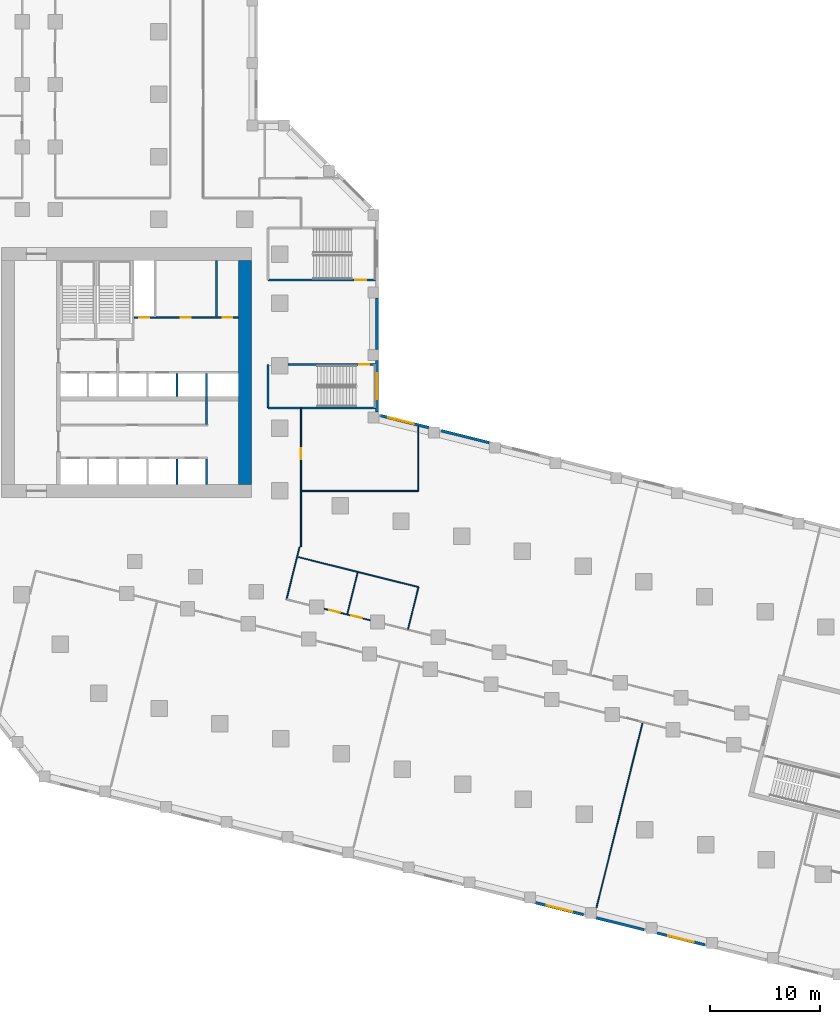
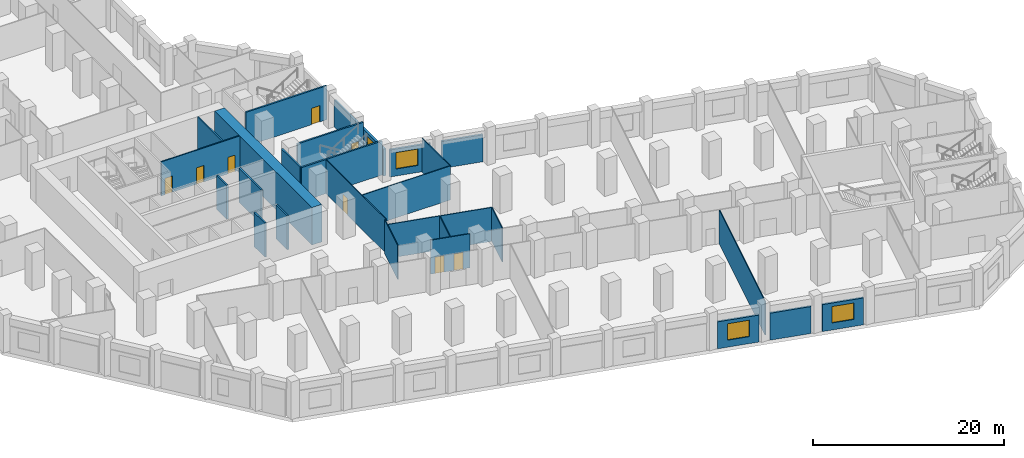
# One storey, part 5 of 15: 28 walls, 8 doors, 4 windows, 12 openings.
"""IFC4 building model written with IfcOpenShell, lengths in metres."""

from ifc_helpers import new_model, si_unit, direction, frame, frame_2d, origin, place, context, subcontext, project, spatial, rectangle, extrude, material, layer, layer_set, type_object, element, fill, save


model = new_model("IFC4")

# Units and contexts
model_context = context("Model", 3, precision=1e-05, world=origin(), true_north=direction((0.0, 1.0)))
body_context = subcontext(model_context, "Body", "Model", "MODEL_VIEW")
ifc_project = project(units=[si_unit("LENGTHUNIT", "METRE"), si_unit("AREAUNIT", "SQUARE_METRE"), si_unit("VOLUMEUNIT", "CUBIC_METRE"), si_unit("PLANEANGLEUNIT", "RADIAN"), si_unit("MASSUNIT", "GRAM", prefix="KILO")], contexts=[model_context])

# Site, building, storey
site_placement = place(None, origin())
site = spatial("IfcSite", under=ifc_project, at=site_placement, CompositionType="ELEMENT")
building_placement = place(site_placement, origin())
building = spatial("IfcBuilding", under=site, at=building_placement, Name="Meshkara Civic Tower", CompositionType="ELEMENT")
storey_placement = place(building_placement, frame((0.0, 0.0, 23.39990234375)))
storey = spatial("IfcBuildingStorey", under=building, at=storey_placement, Name="L04", CompositionType="ELEMENT", Elevation=23.39990234375)

# Wall, openings, doors
ifc_material_1 = material(Name="Blockwork", Category="masonry")
ifc_layer_1 = layer(ifc_material_1, 0.14990234375)
ifc_layer_set_1 = layer_set([ifc_layer_1], Name="Core partition 150")
wall_type_1 = type_object("IfcWallType", Name="Core partition 150", PredefinedType="PARTITIONING", material=ifc_layer_set_1)
wall_1_placement = place(storey_placement, frame((20.10009765625, 30.5, 0.0), z_axis=(0.0, 0.0, 1.0), x_axis=(1.0, 0.0, 0.0)))
wall_1 = element("IfcWall", 1, at=wall_1_placement, inside=storey, type_object=wall_type_1, Name="L04-C010", PredefinedType="PARTITIONING", context=body_context, shape_type="SweptSolid", body=[
    extrude(rectangle(XDim=9.5, YDim=0.14990234375, at=frame_2d((4.75, 0.0))), origin(), (0.0, 0.0, 1.0), 4.35009765625),
])
opening_1_placement = place(wall_1_placement, frame((0.449951171875, 0.0, 0.0)))
opening_1 = element("IfcOpeningElement", 2, at=opening_1_placement, cuts=wall_1, Name="Opening L04-K011", PredefinedType="OPENING", context=body_context, shape_type="SweptSolid", body=[
    extrude(rectangle(XDim=0.89990234375, YDim=2.10009765625, at=frame_2d((0.449951171875, 1.050048828125))), frame((0.0, 0.0849609375, 0.0), z_axis=(0.0, -1.0, 0.0), x_axis=(1.0, 0.0, 0.0)), (0.0, 0.0, 1.0), 0.169921875),
])
opening_2_placement = place(wall_1_placement, frame((4.25, 0.0, 0.0)))
opening_2 = element("IfcOpeningElement", 3, at=opening_2_placement, cuts=wall_1, Name="Opening L04-K012", PredefinedType="OPENING", context=body_context, shape_type="SweptSolid", body=[
    extrude(rectangle(XDim=0.89990234375, YDim=2.10009765625, at=frame_2d((0.449951171875, 1.050048828125))), frame((0.0, 0.0849609375, 0.0), z_axis=(0.0, -1.0, 0.0), x_axis=(1.0, 0.0, 0.0)), (0.0, 0.0, 1.0), 0.169921875),
])
opening_3_placement = place(wall_1_placement, frame((8.050048828125, 0.0, 0.0)))
opening_3 = element("IfcOpeningElement", 4, at=opening_3_placement, cuts=wall_1, Name="Opening L04-K013", PredefinedType="OPENING", context=body_context, shape_type="SweptSolid", body=[
    extrude(rectangle(XDim=0.89990234375, YDim=2.10009765625, at=frame_2d((0.449951171875, 1.050048828125))), frame((0.0, 0.0849609375, 0.0), z_axis=(0.0, -1.0, 0.0), x_axis=(1.0, 0.0, 0.0)), (0.0, 0.0, 1.0), 0.169921875),
])
ifc_material_2 = material(Name="Timber door leaf in steel frame", Category="steel")
door_type_1 = type_object("IfcDoorType", Name="Core room door 900", OperationType="SINGLE_SWING_LEFT", PredefinedType="DOOR", material=ifc_material_2)
door_1_placement = place(opening_2_placement, origin())
door_1 = element("IfcDoor", 5, at=door_1_placement, inside=storey, type_object=door_type_1, Name="L04-K012", OperationType="SINGLE_SWING_RIGHT", OverallHeight=2.10009765625, OverallWidth=0.89990234375, PredefinedType="DOOR", context=body_context, shape_type="SweptSolid", body=[
    extrude(rectangle(XDim=0.89990234375, YDim=2.10009765625, at=frame_2d((0.449951171875, 1.050048828125))), frame((0.0, 0.02490234375, 0.0), z_axis=(0.0, -1.0, 0.0), x_axis=(1.0, 0.0, 0.0)), (0.0, 0.0, 1.0), 0.050048828125),
])
fill(opening_2, door_1)
door_2_placement = place(opening_3_placement, origin())
door_2 = element("IfcDoor", 6, at=door_2_placement, inside=storey, type_object=door_type_1, Name="L04-K013", OperationType="SINGLE_SWING_RIGHT", OverallHeight=2.10009765625, OverallWidth=0.89990234375, PredefinedType="DOOR", context=body_context, shape_type="SweptSolid", body=[
    extrude(rectangle(XDim=0.89990234375, YDim=2.10009765625, at=frame_2d((0.449951171875, 1.050048828125))), frame((0.0, 0.02490234375, 0.0), z_axis=(0.0, -1.0, 0.0), x_axis=(1.0, 0.0, 0.0)), (0.0, 0.0, 1.0), 0.050048828125),
])
fill(opening_3, door_2)
ifc_material_3 = material(Name="Fire-rated door leaf in steel frame", Category="steel")
door_type_2 = type_object("IfcDoorType", Name="Riser door 900", OperationType="SINGLE_SWING_LEFT", PredefinedType="DOOR", material=ifc_material_3)
door_3_placement = place(opening_1_placement, origin())
door_3 = element("IfcDoor", 7, at=door_3_placement, inside=storey, type_object=door_type_2, Name="L04-K011", OperationType="SINGLE_SWING_RIGHT", OverallHeight=2.10009765625, OverallWidth=0.89990234375, PredefinedType="DOOR", context=body_context, shape_type="SweptSolid", body=[
    extrude(rectangle(XDim=0.89990234375, YDim=2.10009765625, at=frame_2d((0.449951171875, 1.050048828125))), frame((0.0, 0.02490234375, 0.0), z_axis=(0.0, -1.0, 0.0), x_axis=(1.0, 0.0, 0.0)), (0.0, 0.0, 1.0), 0.050048828125),
])
fill(opening_1, door_3)

# Walls
wall_2_placement = place(storey_placement, frame((27.60009765625, 30.574951171875, 0.0), z_axis=(0.0, 0.0, 1.0), x_axis=(0.0, 1.0, 0.0)))
element("IfcWall", 8, at=wall_2_placement, inside=storey, type_object=wall_type_1, Name="L04-C025", PredefinedType="PARTITIONING", context=body_context, shape_type="SweptSolid", body=[
    extrude(rectangle(XDim=5.125, YDim=0.14990234375, at=frame_2d((2.5625, 0.0))), origin(), (0.0, 0.0, 1.0), 4.35009765625),
])
ifc_material_4 = material(Name="Concrete C80", Category="concrete")
ifc_layer_2 = layer(ifc_material_4, 1.199951171875)
ifc_layer_set_2 = layer_set([ifc_layer_2], Name="Core ring wall 1200 C80")
wall_type_2 = type_object("IfcWallType", Name="Core ring wall 1200 C80", PredefinedType="SHEAR", material=ifc_layer_set_2)
wall_3_placement = place(storey_placement, frame((30.199951171875, 15.300048828125, -0.449951171875), z_axis=(0.0, 0.0, 1.0), x_axis=(0.0, 1.0, 0.0)))
element("IfcWall", 9, at=wall_3_placement, inside=storey, type_object=wall_type_2, Name="L04-C004", PredefinedType="SHEAR", context=body_context, shape_type="SweptSolid", body=[
    extrude(rectangle(XDim=20.39990234375, YDim=1.199951171875, at=frame_2d((10.199951171875, 0.0))), origin(), (0.0, 0.0, 1.0), 4.800048828125),
])
ifc_material_5 = material(Name="Corridor wall 100")
ifc_layer_3 = layer(ifc_material_5, 0.10009765625)
ifc_layer_set_3 = layer_set([ifc_layer_3], Name="Corridor wall 100")
wall_type_3 = type_object("IfcWallType", Name="Corridor wall 100", PredefinedType="PARTITIONING", material=ifc_layer_set_3)
wall_4_placement = place(storey_placement, frame((33.97607421875, 4.823974609375, 0.0), z_axis=(0.0, 0.0, 1.0), x_axis=(0.241940400058, 0.970291112409, 0.0)))
element("IfcWall", 10, at=wall_4_placement, inside=storey, type_object=wall_type_3, Name="L04-R049", PredefinedType="PARTITIONING", context=body_context, shape_type="SweptSolid", body=[
    extrude(rectangle(XDim=4.92236328125, YDim=0.10009765625, at=frame_2d((2.461181640625, 0.0))), origin(), (0.0, 0.0, 1.0), 4.35009765625),
])

# Wall, opening, door
wall_5_placement = place(storey_placement, frame((35.300048828125, 9.60009765625, 0.0), z_axis=(0.0, 0.0, 1.0), x_axis=(0.0, 1.0, 0.0)))
wall_5 = element("IfcWall", 11, at=wall_5_placement, inside=storey, type_object=wall_type_3, Name="L04-R051", PredefinedType="PARTITIONING", context=body_context, shape_type="SweptSolid", body=[
    extrude(rectangle(XDim=12.6748046875, YDim=0.10009765625, at=frame_2d((6.33740234375, 0.0))), origin(), (0.0, 0.0, 1.0), 4.35009765625),
])
opening_4_placement = place(wall_5_placement, frame((7.97998046875, 0.0, 0.0)))
opening_4 = element("IfcOpeningElement", 12, at=opening_4_placement, cuts=wall_5, Name="Opening L04-P020", PredefinedType="OPENING", context=body_context, shape_type="SweptSolid", body=[
    extrude(rectangle(XDim=1.0, YDim=2.10009765625, at=frame_2d((0.5, 1.050048828125))), frame((0.0, 0.06005859375, 0.0), z_axis=(0.0, -1.0, 0.0), x_axis=(1.0, 0.0, 0.0)), (0.0, 0.0, 1.0), 0.1201171875),
])
ifc_material_6 = material(Name="Door 1000 x 2100")
door_type_3 = type_object("IfcDoorType", Name="Door 1000 x 2100", OperationType="SINGLE_SWING_LEFT", PredefinedType="DOOR", material=ifc_material_6)
door_4_placement = place(opening_4_placement, origin())
door_4 = element("IfcDoor", 13, at=door_4_placement, inside=storey, type_object=door_type_3, Name="L04-P020", OperationType="SINGLE_SWING_LEFT", OverallHeight=2.10009765625, OverallWidth=1.0, PredefinedType="DOOR", context=body_context, shape_type="SweptSolid", body=[
    extrude(rectangle(XDim=1.0, YDim=2.10009765625, at=frame_2d((0.5, 1.050048828125))), frame((0.0, 0.02490234375, 0.0), z_axis=(0.0, -1.0, 0.0), x_axis=(1.0, 0.0, 0.0)), (0.0, 0.0, 1.0), 0.050048828125),
])
fill(opening_4, door_4)

# Wall, openings, doors
wall_6_placement = place(storey_placement, frame((37.412109375, 3.967041015625, 0.0), z_axis=(0.0, 0.0, 1.0), x_axis=(0.970335093604, -0.241763947107, 0.0)))
wall_6 = element("IfcWall", 14, at=wall_6_placement, inside=storey, type_object=wall_type_3, Name="L04-R056", PredefinedType="PARTITIONING", context=body_context, shape_type="SweptSolid", body=[
    extrude(rectangle(XDim=4.318115234375, YDim=0.10009765625, at=frame_2d((2.1591796875, 0.0))), origin(), (0.0, 0.0, 1.0), 4.35009765625),
])
opening_5_placement = place(wall_6_placement, frame((0.47998046875, 0.0, 0.0)))
opening_5 = element("IfcOpeningElement", 15, at=opening_5_placement, cuts=wall_6, Name="Opening L04-P014", PredefinedType="OPENING", context=body_context, shape_type="SweptSolid", body=[
    extrude(rectangle(XDim=1.0, YDim=2.10009765625, at=frame_2d((0.5, 1.050048828125))), frame((0.0, 0.06005859375, 0.0), z_axis=(0.0, -1.0, 0.0), x_axis=(1.0, 0.0, 0.0)), (0.0, 0.0, 1.0), 0.1201171875),
])
opening_6_placement = place(wall_6_placement, frame((2.5390625, 0.0, 0.0)))
opening_6 = element("IfcOpeningElement", 16, at=opening_6_placement, cuts=wall_6, Name="Opening L04-P016", PredefinedType="OPENING", context=body_context, shape_type="SweptSolid", body=[
    extrude(rectangle(XDim=1.0, YDim=2.10009765625, at=frame_2d((0.5, 1.050048828125))), frame((0.0, 0.06005859375, 0.0), z_axis=(0.0, -1.0, 0.0), x_axis=(1.0, 0.0, 0.0)), (0.0, 0.0, 1.0), 0.1201171875),
])
door_5_placement = place(opening_5_placement, origin())
door_5 = element("IfcDoor", 17, at=door_5_placement, inside=storey, type_object=door_type_3, Name="L04-P014", OperationType="SINGLE_SWING_RIGHT", OverallHeight=2.10009765625, OverallWidth=1.0, PredefinedType="DOOR", context=body_context, shape_type="SweptSolid", body=[
    extrude(rectangle(XDim=1.0, YDim=2.10009765625, at=frame_2d((0.5, 1.050048828125))), frame((0.0, 0.02490234375, 0.0), z_axis=(0.0, -1.0, 0.0), x_axis=(1.0, 0.0, 0.0)), (0.0, 0.0, 1.0), 0.050048828125),
])
fill(opening_5, door_5)
door_6_placement = place(opening_6_placement, origin())
door_6 = element("IfcDoor", 18, at=door_6_placement, inside=storey, type_object=door_type_3, Name="L04-P016", OperationType="SINGLE_SWING_LEFT", OverallHeight=2.10009765625, OverallWidth=1.0, PredefinedType="DOOR", context=body_context, shape_type="SweptSolid", body=[
    extrude(rectangle(XDim=1.0, YDim=2.10009765625, at=frame_2d((0.5, 1.050048828125))), frame((0.0, 0.02490234375, 0.0), z_axis=(0.0, -1.0, 0.0), x_axis=(1.0, 0.0, 0.0)), (0.0, 0.0, 1.0), 0.050048828125),
])
fill(opening_6, door_6)

# Wall, opening, window
ifc_material_7 = material(Name="Stone cladding on insulated backing wall", Category="masonry")
ifc_layer_4 = layer(ifc_material_7, 0.25)
ifc_layer_set_4 = layer_set([ifc_layer_4], Name="PODIUM STONE WALL 250")
wall_type_4 = type_object("IfcWallType", Name="PODIUM STONE WALL 250", PredefinedType="SOLIDWALL", material=ifc_layer_set_4)
wall_7_placement = place(storey_placement, frame((56.680908203125, -22.81494140625, 0.0), z_axis=(0.0, 0.0, 1.0), x_axis=(0.970276766004, -0.241997928406, 0.0)))
wall_7 = element("IfcWall", 19, at=wall_7_placement, inside=storey, type_object=wall_type_4, Name="Podium external wall", PredefinedType="SOLIDWALL", context=body_context, shape_type="SweptSolid", body=[
    extrude(rectangle(XDim=4.4873046875, YDim=0.25, at=frame_2d((2.24365234375, 0.0))), origin(), (0.0, 0.0, 1.0), 3.4501953125),
])
opening_7_placement = place(wall_7_placement, frame((1.0439453125, 0.0, 0.89990234375)))
opening_7 = element("IfcOpeningElement", 20, at=opening_7_placement, cuts=wall_7, Name="Opening PW10", PredefinedType="OPENING", context=body_context, shape_type="SweptSolid", body=[
    extrude(rectangle(XDim=2.39990234375, YDim=2.10009765625, at=frame_2d((1.199951171875, 1.050048828125))), frame((0.0, 0.135009765625, 0.0), z_axis=(0.0, -1.0, 0.0), x_axis=(1.0, 0.0, 0.0)), (0.0, 0.0, 1.0), 0.27001953125),
])
ifc_material_8 = material(Name="Tinted double glazing", Category="glass")
window_type = type_object("IfcWindowType", Name="PODIUM WINDOW 2400x2100", PartitioningType="DOUBLE_PANEL_VERTICAL", PredefinedType="WINDOW", material=ifc_material_8)
window_1_placement = place(opening_7_placement, origin())
window_1 = element("IfcWindow", 21, at=window_1_placement, inside=storey, type_object=window_type, Name="Podium window", OverallHeight=2.10009765625, OverallWidth=2.39990234375, PartitioningType="DOUBLE_PANEL_VERTICAL", PredefinedType="WINDOW", context=body_context, shape_type="SweptSolid", body=[
    extrude(rectangle(XDim=2.39990234375, YDim=2.10009765625, at=frame_2d((1.199951171875, 1.050048828125))), frame((0.0, 0.030029296875, 0.0), z_axis=(0.0, -1.0, 0.0), x_axis=(1.0, 0.0, 0.0)), (0.0, 0.0, 1.0), 0.06005859375),
])
fill(opening_7, window_1)

# Wall
wall_8_placement = place(storey_placement, frame((62.2109375, -24.194091796875, 0.0), z_axis=(0.0, 0.0, 1.0), x_axis=(0.970289506684, -0.241946839653, 0.0)))
element("IfcWall", 22, at=wall_8_placement, inside=storey, type_object=wall_type_4, Name="Podium external wall", PredefinedType="SOLIDWALL", context=body_context, shape_type="SweptSolid", body=[
    extrude(rectangle(XDim=4.48828125, YDim=0.25, at=frame_2d((2.244140625, 0.0))), origin(), (0.0, 0.0, 1.0), 3.4501953125),
])

# Wall, opening, window
wall_9_placement = place(storey_placement, frame((67.741943359375, -25.572998046875, 0.0), z_axis=(0.0, 0.0, 1.0), x_axis=(0.970289506684, -0.241946839653, 0.0)))
wall_9 = element("IfcWall", 23, at=wall_9_placement, inside=storey, type_object=wall_type_4, Name="Podium external wall", PredefinedType="SOLIDWALL", context=body_context, shape_type="SweptSolid", body=[
    extrude(rectangle(XDim=4.48828125, YDim=0.25, at=frame_2d((2.244140625, 0.0))), origin(), (0.0, 0.0, 1.0), 3.4501953125),
])
opening_8_placement = place(wall_9_placement, frame((1.0439453125, 0.0, 0.89990234375)))
opening_8 = element("IfcOpeningElement", 24, at=opening_8_placement, cuts=wall_9, Name="Opening PW10", PredefinedType="OPENING", context=body_context, shape_type="SweptSolid", body=[
    extrude(rectangle(XDim=2.39990234375, YDim=2.10009765625, at=frame_2d((1.199951171875, 1.050048828125))), frame((0.0, 0.135009765625, 0.0), z_axis=(0.0, -1.0, 0.0), x_axis=(1.0, 0.0, 0.0)), (0.0, 0.0, 1.0), 0.27001953125),
])
window_2_placement = place(opening_8_placement, origin())
window_2 = element("IfcWindow", 25, at=window_2_placement, inside=storey, type_object=window_type, Name="Podium window", OverallHeight=2.10009765625, OverallWidth=2.39990234375, PartitioningType="DOUBLE_PANEL_VERTICAL", PredefinedType="WINDOW", context=body_context, shape_type="SweptSolid", body=[
    extrude(rectangle(XDim=2.39990234375, YDim=2.10009765625, at=frame_2d((1.199951171875, 1.050048828125))), frame((0.0, 0.030029296875, 0.0), z_axis=(0.0, -1.0, 0.0), x_axis=(1.0, 0.0, 0.0)), (0.0, 0.0, 1.0), 0.06005859375),
])
fill(opening_8, window_2)

# Wall
wall_10_placement = place(storey_placement, frame((52.451904296875, 19.10302734375, 0.0), z_axis=(0.0, 0.0, 1.0), x_axis=(-0.970276766004, 0.241997928406, 0.0)))
element("IfcWall", 26, at=wall_10_placement, inside=storey, type_object=wall_type_4, Name="Podium external wall", PredefinedType="SOLIDWALL", context=body_context, shape_type="SweptSolid", body=[
    extrude(rectangle(XDim=4.4873046875, YDim=0.25, at=frame_2d((2.24365234375, 0.0))), origin(), (0.0, 0.0, 1.0), 3.4501953125),
])

# Wall, opening, window
wall_11_placement = place(storey_placement, frame((46.922119140625, 20.48193359375, 0.0), z_axis=(0.0, 0.0, 1.0), x_axis=(-0.970279921141, 0.241985277715, 0.0)))
wall_11 = element("IfcWall", 27, at=wall_11_placement, inside=storey, type_object=wall_type_4, Name="Podium external wall", PredefinedType="SOLIDWALL", context=body_context, shape_type="SweptSolid", body=[
    extrude(rectangle(XDim=4.488525390625, YDim=0.25, at=frame_2d((2.244140625, 0.0))), origin(), (0.0, 0.0, 1.0), 3.4501953125),
])
opening_9_placement = place(wall_11_placement, frame((1.39697265625, 0.0, 0.89990234375)))
opening_9 = element("IfcOpeningElement", 28, at=opening_9_placement, cuts=wall_11, Name="Opening PW10", PredefinedType="OPENING", context=body_context, shape_type="SweptSolid", body=[
    extrude(rectangle(XDim=2.39990234375, YDim=2.10009765625, at=frame_2d((1.199951171875, 1.050048828125))), frame((0.0, 0.135009765625, 0.0), z_axis=(0.0, -1.0, 0.0), x_axis=(1.0, 0.0, 0.0)), (0.0, 0.0, 1.0), 0.27001953125),
])
window_3_placement = place(opening_9_placement, origin())
window_3 = element("IfcWindow", 29, at=window_3_placement, inside=storey, type_object=window_type, Name="Podium window", OverallHeight=2.10009765625, OverallWidth=2.39990234375, PartitioningType="DOUBLE_PANEL_VERTICAL", PredefinedType="WINDOW", context=body_context, shape_type="SweptSolid", body=[
    extrude(rectangle(XDim=2.39990234375, YDim=2.10009765625, at=frame_2d((1.199951171875, 1.050048828125))), frame((0.0, 0.030029296875, 0.0), z_axis=(0.0, -1.0, 0.0), x_axis=(1.0, 0.0, 0.0)), (0.0, 0.0, 1.0), 0.06005859375),
])
fill(opening_9, window_3)

wall_12_placement = place(storey_placement, frame((42.22509765625, 21.89892578125, 0.0), z_axis=(0.0, 0.0, 1.0), x_axis=(0.0, 1.0, 0.0)))
wall_12 = element("IfcWall", 30, at=wall_12_placement, inside=storey, type_object=wall_type_4, Name="Podium external wall", PredefinedType="SOLIDWALL", context=body_context, shape_type="SweptSolid", body=[
    extrude(rectangle(XDim=4.7001953125, YDim=0.25, at=frame_2d((2.35009765625, 0.0))), origin(), (0.0, 0.0, 1.0), 3.4501953125),
])
opening_10_placement = place(wall_12_placement, frame((1.14990234375, 0.0, 0.89990234375)))
opening_10 = element("IfcOpeningElement", 31, at=opening_10_placement, cuts=wall_12, Name="Opening PW10", PredefinedType="OPENING", context=body_context, shape_type="SweptSolid", body=[
    extrude(rectangle(XDim=2.39990234375, YDim=2.10009765625, at=frame_2d((1.199951171875, 1.050048828125))), frame((0.0, 0.135009765625, 0.0), z_axis=(0.0, -1.0, 0.0), x_axis=(1.0, 0.0, 0.0)), (0.0, 0.0, 1.0), 0.27001953125),
])
window_4_placement = place(opening_10_placement, origin())
window_4 = element("IfcWindow", 32, at=window_4_placement, inside=storey, type_object=window_type, Name="Podium window", OverallHeight=2.10009765625, OverallWidth=2.39990234375, PartitioningType="DOUBLE_PANEL_VERTICAL", PredefinedType="WINDOW", context=body_context, shape_type="SweptSolid", body=[
    extrude(rectangle(XDim=2.39990234375, YDim=2.10009765625, at=frame_2d((1.199951171875, 1.050048828125))), frame((0.0, 0.030029296875, 0.0), z_axis=(0.0, -1.0, 0.0), x_axis=(1.0, 0.0, 0.0)), (0.0, 0.0, 1.0), 0.06005859375),
])
fill(opening_10, window_4)

# Walls
wall_13_placement = place(storey_placement, frame((42.22509765625, 27.59912109375, 0.0), z_axis=(0.0, 0.0, 1.0), x_axis=(0.0, 1.0, 0.0)))
element("IfcWall", 33, at=wall_13_placement, inside=storey, type_object=wall_type_4, Name="Podium external wall", PredefinedType="SOLIDWALL", context=body_context, shape_type="SweptSolid", body=[
    extrude(rectangle(XDim=4.699951171875, YDim=0.25, at=frame_2d((2.35009765625, 0.0))), origin(), (0.0, 0.0, 1.0), 3.4501953125),
])
ifc_material_9 = material(Name="Partition 100")
ifc_layer_5 = layer(ifc_material_9, 0.10009765625)
ifc_layer_set_5 = layer_set([ifc_layer_5], Name="Partition 100")
wall_type_5 = type_object("IfcWallType", Name="Partition 100", PredefinedType="PARTITIONING", material=ifc_layer_set_5)
wall_14_placement = place(storey_placement, frame((34.992919921875, 8.693115234375, 0.0), z_axis=(0.0, 0.0, 1.0), x_axis=(0.97029161727, -0.241938375328, 0.0)))
element("IfcWall", 34, at=wall_14_placement, inside=storey, type_object=wall_type_5, Name="L04-R098", PredefinedType="PARTITIONING", context=body_context, shape_type="SweptSolid", body=[
    extrude(rectangle(XDim=11.350341796875, YDim=0.10009765625, at=frame_2d((5.67529296875, 0.0))), origin(), (0.0, 0.0, 1.0), 4.35009765625),
])
wall_15_placement = place(storey_placement, frame((35.35009765625, 14.699951171875, 0.0), z_axis=(0.0, 0.0, 1.0), x_axis=(1.0, 0.0, 0.0)))
element("IfcWall", 35, at=wall_15_placement, inside=storey, type_object=wall_type_5, Name="L04-R100", PredefinedType="PARTITIONING", context=body_context, shape_type="SweptSolid", body=[
    extrude(rectangle(XDim=10.64990234375, YDim=0.10009765625, at=frame_2d((5.324951171875, 0.0))), origin(), (0.0, 0.0, 1.0), 4.35009765625),
])
wall_16_placement = place(storey_placement, frame((39.51904296875, 3.493896484375, 0.0), z_axis=(0.0, 0.0, 1.0), x_axis=(0.242064152871, 0.970260246478, 0.0)))
element("IfcWall", 36, at=wall_16_placement, inside=storey, type_object=wall_type_5, Name="L04-R101", PredefinedType="PARTITIONING", context=body_context, shape_type="SweptSolid", body=[
    extrude(rectangle(XDim=3.899169921875, YDim=0.10009765625, at=frame_2d((1.94970703125, 0.0))), origin(), (0.0, 0.0, 1.0), 4.35009765625),
])
wall_17_placement = place(storey_placement, frame((45.050048828125, 2.114990234375, 0.0), z_axis=(0.0, 0.0, 1.0), x_axis=(0.242070161495, 0.970258747404, 0.0)))
element("IfcWall", 37, at=wall_17_placement, inside=storey, type_object=wall_type_5, Name="L04-R104", PredefinedType="PARTITIONING", context=body_context, shape_type="SweptSolid", body=[
    extrude(rectangle(XDim=3.949462890625, YDim=0.10009765625, at=frame_2d((1.974609375, 0.0))), origin(), (0.0, 0.0, 1.0), 4.35009765625),
])
wall_18_placement = place(storey_placement, frame((46.0, 14.699951171875, 0.0), z_axis=(0.0, 0.0, 1.0), x_axis=(0.0, 1.0, 0.0)))
element("IfcWall", 38, at=wall_18_placement, inside=storey, type_object=wall_type_5, Name="L04-R105", PredefinedType="PARTITIONING", context=body_context, shape_type="SweptSolid", body=[
    extrude(rectangle(XDim=5.883056640625, YDim=0.10009765625, at=frame_2d((2.94140625, 0.0))), origin(), (0.0, 0.0, 1.0), 4.35009765625),
])
wall_19_placement = place(storey_placement, frame((62.221923828125, -23.258056640625, 0.0), z_axis=(0.0, 0.0, 1.0), x_axis=(0.241946709049, 0.970289539251, 0.0)))
element("IfcWall", 39, at=wall_19_placement, inside=storey, type_object=wall_type_5, Name="L04-R107", PredefinedType="PARTITIONING", context=body_context, shape_type="SweptSolid", body=[
    extrude(rectangle(XDim=17.364013671875, YDim=0.10009765625, at=frame_2d((8.68212890625, 0.0))), origin(), (0.0, 0.0, 1.0), 4.35009765625),
])
ifc_material_10 = material(Name="Concrete C40/50", Category="concrete")
ifc_layer_6 = layer(ifc_material_10, 0.199951171875)
ifc_layer_set_6 = layer_set([ifc_layer_6], Name="Shaft wall 200 C40/50")
wall_type_6 = type_object("IfcWallType", Name="Shaft wall 200 C40/50", PredefinedType="SOLIDWALL", material=ifc_layer_set_6)
wall_20_placement = place(storey_placement, frame((24.0, 15.300048828125, 0.0), z_axis=(0.0, 0.0, 1.0), x_axis=(0.0, 1.0, 0.0)))
element("IfcWall", 40, at=wall_20_placement, inside=storey, type_object=wall_type_6, Name="L04-C021", PredefinedType="SOLIDWALL", context=body_context, shape_type="SweptSolid", body=[
    extrude(rectangle(XDim=2.300048828125, YDim=0.199951171875, at=frame_2d((1.14990234375, 0.0))), origin(), (0.0, 0.0, 1.0), 4.35009765625),
])
wall_21_placement = place(storey_placement, frame((24.0, 23.300048828125, 0.0), z_axis=(0.0, 0.0, 1.0), x_axis=(0.0, 1.0, 0.0)))
element("IfcWall", 41, at=wall_21_placement, inside=storey, type_object=wall_type_6, Name="L04-C022", PredefinedType="SOLIDWALL", context=body_context, shape_type="SweptSolid", body=[
    extrude(rectangle(XDim=2.099853515625, YDim=0.199951171875, at=frame_2d((1.0498046875, 0.0))), origin(), (0.0, 0.0, 1.0), 4.35009765625),
])
wall_22_placement = place(storey_placement, frame((26.699951171875, 15.300048828125, 0.0), z_axis=(0.0, 0.0, 1.0), x_axis=(0.0, 1.0, 0.0)))
element("IfcWall", 42, at=wall_22_placement, inside=storey, type_object=wall_type_6, Name="L04-C023", PredefinedType="SOLIDWALL", context=body_context, shape_type="SweptSolid", body=[
    extrude(rectangle(XDim=2.300048828125, YDim=0.199951171875, at=frame_2d((1.14990234375, 0.0))), origin(), (0.0, 0.0, 1.0), 4.35009765625),
])
wall_23_placement = place(storey_placement, frame((26.699951171875, 20.77490234375, 0.0), z_axis=(0.0, 0.0, 1.0), x_axis=(0.0, 1.0, 0.0)))
element("IfcWall", 43, at=wall_23_placement, inside=storey, type_object=wall_type_6, Name="L04-C024", PredefinedType="SOLIDWALL", context=body_context, shape_type="SweptSolid", body=[
    extrude(rectangle(XDim=4.625, YDim=0.199951171875, at=frame_2d((2.3125, 0.0))), origin(), (0.0, 0.0, 1.0), 4.35009765625),
])
ifc_material_11 = material(Name="Concrete C40/50", Category="concrete")
ifc_layer_7 = layer(ifc_material_11, 0.199951171875)
ifc_layer_set_7 = layer_set([ifc_layer_7], Name="Stair enclosure wall 200 C40/50")
wall_type_7 = type_object("IfcWallType", Name="Stair enclosure wall 200 C40/50", PredefinedType="SOLIDWALL", material=ifc_layer_set_7)
wall_24_placement = place(storey_placement, frame((32.300048828125, 22.27490234375, 0.0), z_axis=(0.0, 0.0, 1.0), x_axis=(0.0, 1.0, 0.0)))
element("IfcWall", 44, at=wall_24_placement, inside=storey, type_object=wall_type_7, Name="L04-R046", PredefinedType="SOLIDWALL", context=body_context, shape_type="SweptSolid", body=[
    extrude(rectangle(XDim=3.9501953125, YDim=0.199951171875, at=frame_2d((1.97509765625, 0.0))), origin(), (0.0, 0.0, 1.0), 4.35009765625),
])

# Wall, opening, door
wall_25_placement = place(storey_placement, frame((34.1201171875, 26.22509765625, 0.0), z_axis=(0.0, 0.0, 1.0), x_axis=(1.0, 0.0, 0.0)))
wall_25 = element("IfcWall", 45, at=wall_25_placement, inside=storey, type_object=wall_type_7, Name="L04-R050", PredefinedType="SOLIDWALL", context=body_context, shape_type="SweptSolid", body=[
    extrude(rectangle(XDim=7.97998046875, YDim=0.199951171875, at=frame_2d((3.989990234375, 0.0))), origin(), (0.0, 0.0, 1.0), 4.35009765625),
])
opening_11_placement = place(wall_25_placement, frame((6.5, 0.0, 0.0)))
opening_11 = element("IfcOpeningElement", 46, at=opening_11_placement, cuts=wall_25, Name="Opening L04-P022", PredefinedType="OPENING", context=body_context, shape_type="SweptSolid", body=[
    extrude(rectangle(XDim=0.89990234375, YDim=2.10009765625, at=frame_2d((0.449951171875, 1.050048828125))), frame((0.0, 0.10986328125, 0.0), z_axis=(0.0, -1.0, 0.0), x_axis=(1.0, 0.0, 0.0)), (0.0, 0.0, 1.0), 0.219970703125),
])
door_7_placement = place(opening_11_placement, origin())
door_7 = element("IfcDoor", 47, at=door_7_placement, inside=storey, type_object=door_type_3, Name="L04-P022", OperationType="SINGLE_SWING_LEFT", OverallHeight=2.10009765625, OverallWidth=0.89990234375, PredefinedType="DOOR", context=body_context, shape_type="SweptSolid", body=[
    extrude(rectangle(XDim=0.89990234375, YDim=2.10009765625, at=frame_2d((0.449951171875, 1.050048828125))), frame((0.0, 0.02490234375, 0.0), z_axis=(0.0, -1.0, 0.0), x_axis=(1.0, 0.0, 0.0)), (0.0, 0.0, 1.0), 0.050048828125),
])
fill(opening_11, door_7)

# Wall
wall_26_placement = place(storey_placement, frame((35.300048828125, 22.27490234375, 0.0), z_axis=(0.0, 0.0, 1.0), x_axis=(-1.0, 0.0, 0.0)))
element("IfcWall", 48, at=wall_26_placement, inside=storey, type_object=wall_type_7, Name="L04-R052", PredefinedType="SOLIDWALL", context=body_context, shape_type="SweptSolid", body=[
    extrude(rectangle(XDim=3.0, YDim=0.199951171875, at=frame_2d((1.5, 0.0))), origin(), (0.0, 0.0, 1.0), 4.35009765625),
])

# Wall, opening, door
wall_27_placement = place(storey_placement, frame((42.10009765625, 33.925048828125, 0.0), z_axis=(0.0, 0.0, 1.0), x_axis=(-1.0, 0.0, 0.0)))
wall_27 = element("IfcWall", 49, at=wall_27_placement, inside=storey, type_object=wall_type_7, Name="L04-R057", PredefinedType="SOLIDWALL", context=body_context, shape_type="SweptSolid", body=[
    extrude(rectangle(XDim=9.800048828125, YDim=0.199951171875, at=frame_2d((4.89990234375, 0.0))), origin(), (0.0, 0.0, 1.0), 4.35009765625),
])
opening_12_placement = place(wall_27_placement, frame((0.85009765625, 0.0, 0.0)))
opening_12 = element("IfcOpeningElement", 50, at=opening_12_placement, cuts=wall_27, Name="Opening L04-P023", PredefinedType="OPENING", context=body_context, shape_type="SweptSolid", body=[
    extrude(rectangle(XDim=1.0, YDim=2.10009765625, at=frame_2d((0.5, 1.050048828125))), frame((0.0, 0.10986328125, 0.0), z_axis=(0.0, -1.0, 0.0), x_axis=(1.0, 0.0, 0.0)), (0.0, 0.0, 1.0), 0.219970703125),
])
door_8_placement = place(opening_12_placement, origin())
door_8 = element("IfcDoor", 51, at=door_8_placement, inside=storey, type_object=door_type_3, Name="L04-P023", OperationType="SINGLE_SWING_LEFT", OverallHeight=2.10009765625, OverallWidth=1.0, PredefinedType="DOOR", context=body_context, shape_type="SweptSolid", body=[
    extrude(rectangle(XDim=1.0, YDim=2.10009765625, at=frame_2d((0.5, 1.050048828125))), frame((0.0, 0.02490234375, 0.0), z_axis=(0.0, -1.0, 0.0), x_axis=(1.0, 0.0, 0.0)), (0.0, 0.0, 1.0), 0.050048828125),
])
fill(opening_12, door_8)

# Wall
wall_28_placement = place(storey_placement, frame((35.300048828125, 22.27490234375, 0.0), z_axis=(0.0, 0.0, 1.0), x_axis=(1.0, 0.0, 0.0)))
element("IfcWall", 52, at=wall_28_placement, inside=storey, type_object=wall_type_7, Name="L04-R099", PredefinedType="SOLIDWALL", context=body_context, shape_type="SweptSolid", body=[
    extrude(rectangle(XDim=6.800048828125, YDim=0.199951171875, at=frame_2d((3.39990234375, 0.0))), origin(), (0.0, 0.0, 1.0), 4.35009765625),
])

save(model, "model.ifc")
